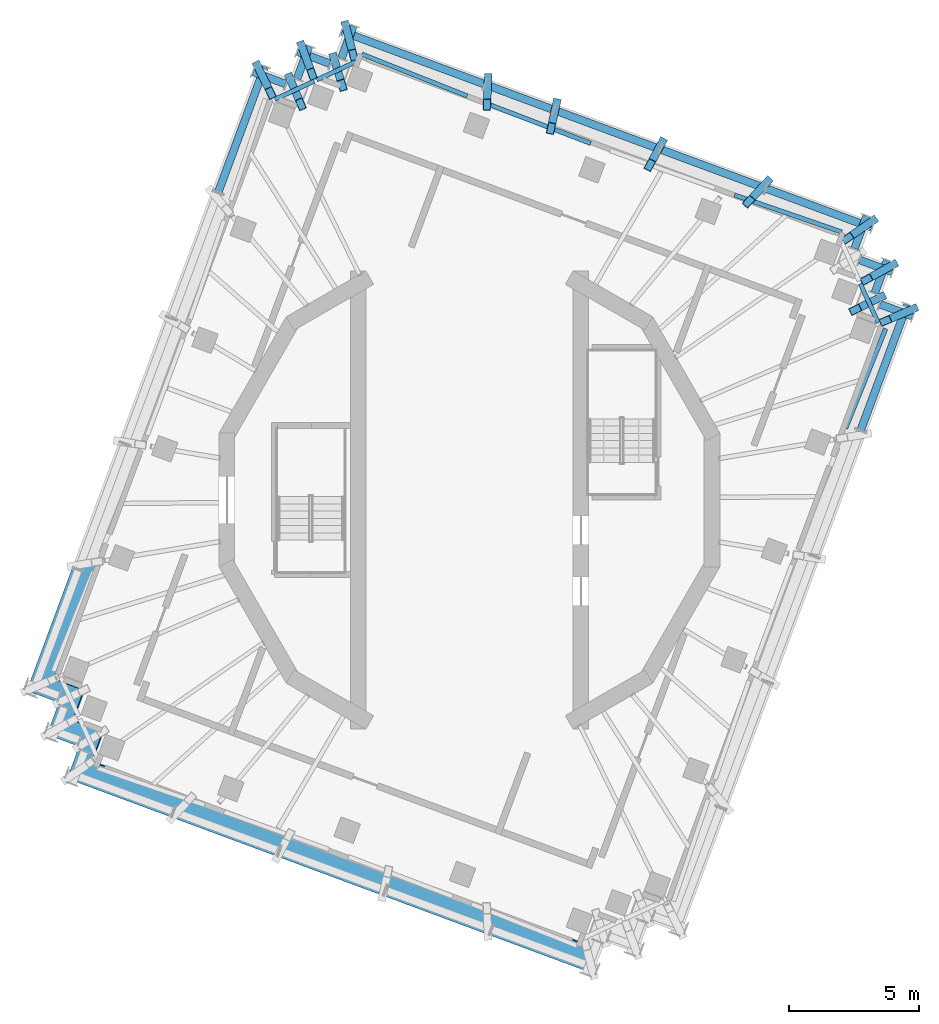
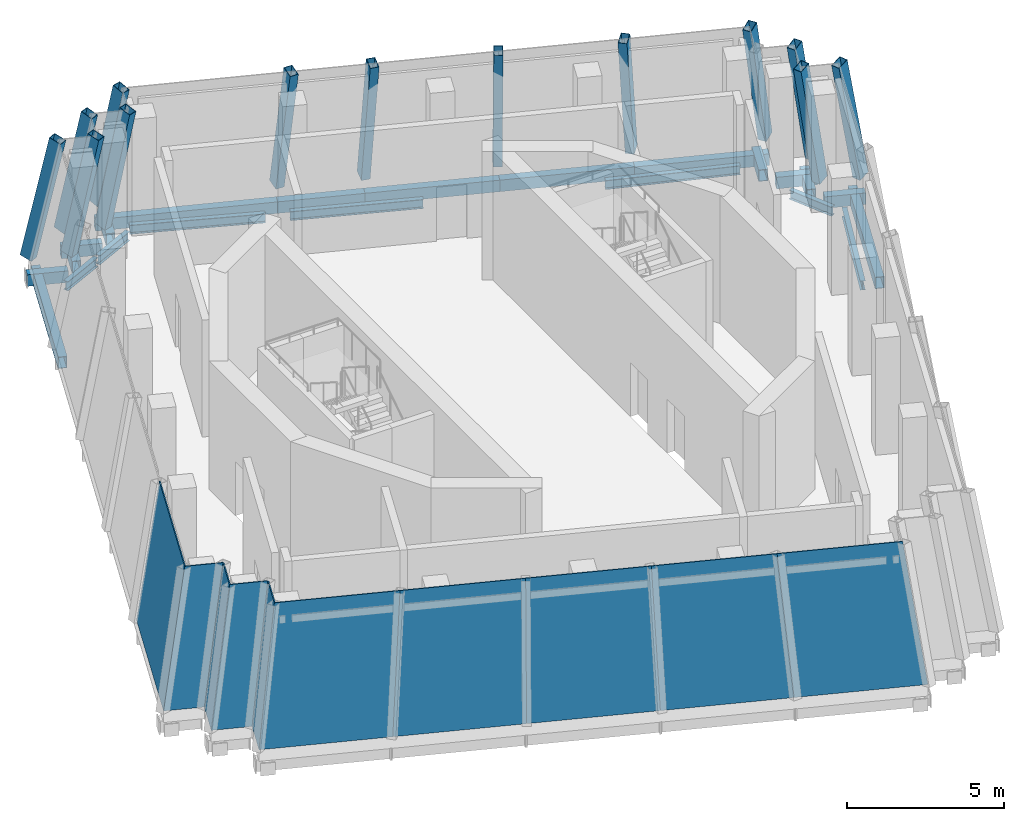
# One storey, part 3 of 13: 28 members, 10 plates, 7 beams, 25 elements without a shape of their own.
"""IFC4 building model written with IfcOpenShell, lengths in metres."""

from ifc_helpers import new_model, si_unit, direction, frame, origin, origin_2d, place, context, subcontext, project, spatial, polyline, hollow_rectangle, i_section, outline, extrude, material, layer, layer_set, material_profile, profile_set, type_object, element, aggregate, save


model = new_model("IFC4")

# Units and contexts
model_context = context("Model", 3, precision=1e-05, world=origin(), true_north=direction((0.0, 1.0)))
body_context = subcontext(model_context, "Body", "Model", "MODEL_VIEW")
ifc_project = project(units=[si_unit("LENGTHUNIT", "METRE"), si_unit("AREAUNIT", "SQUARE_METRE"), si_unit("VOLUMEUNIT", "CUBIC_METRE"), si_unit("PLANEANGLEUNIT", "RADIAN"), si_unit("MASSUNIT", "GRAM", prefix="KILO")], contexts=[model_context])

# Site, building, storey
site_placement = place(None, origin())
site = spatial("IfcSite", under=ifc_project, at=site_placement, CompositionType="ELEMENT")
building_placement = place(site_placement, origin())
building = spatial("IfcBuilding", under=site, at=building_placement, Name="Cantera Rosa Tower", CompositionType="ELEMENT")
storey_placement = place(building_placement, frame((0.0, 0.0, 355.699951171875)))
storey = spatial("IfcBuildingStorey", under=building, at=storey_placement, Name="L80", CompositionType="ELEMENT", Elevation=355.699951171875)

# Curtain wall, member
ifc_material_1 = material(Name="Aluminium frame with clear glass", Category="aluminium")
curtain_wall_type = type_object("IfcCurtainWallType", Name="CW4 CROWN GLAZING", PredefinedType="NOTDEFINED", material=ifc_material_1)
curtain_wall_1_placement = place(storey_placement, origin())
curtain_wall_1 = element("IfcCurtainWall", 1, at=curtain_wall_1_placement, inside=storey, type_object=curtain_wall_type, Name="CW4 L80-01", PredefinedType="NOTDEFINED")
ifc_material_2 = material(Name="Steel S355J2 (EN 10025-2)", Category="steel")
ifc_material_profile_1 = material_profile(ifc_material_2, hollow_rectangle(XDim=0.300048828125, YDim=0.449951171875, WallThickness=0.01611328125, at=origin_2d()), Name="CROWN FRAME MULLION RHS 300x450x16")
ifc_profile_set_1 = profile_set([ifc_material_profile_1], Name="Steel S355J2 (EN 10025-2)")
member_type_1 = type_object("IfcMemberType", Name="CROWN FRAME MULLION RHS 300x450x16", PredefinedType="MULLION", material=ifc_profile_set_1)
member_1_placement = place(storey_placement, frame((15.527587890625, 10.75146484375, 0.0), z_axis=(-0.183485118083, -0.127035481236, 0.974779563773), x_axis=(0.569232159269, -0.822176835513, 0.0)))
member_1 = element("IfcMember", 2, at=member_1_placement, type_object=member_type_1, Name="CROWN FRAME rib L80-01", PredefinedType="MULLION", context=body_context, shape_type="SweptSolid", body=[
    extrude(hollow_rectangle(XDim=0.300048828125, YDim=0.449951171875, WallThickness=0.01611328125, at=origin_2d()), origin(), (0.0, 0.0, 1.0), 5.12939453125),
])

curtain_wall_2_placement = place(storey_placement, origin())
curtain_wall_2 = element("IfcCurtainWall", 3, at=curtain_wall_2_placement, inside=storey, type_object=curtain_wall_type, Name="CW4 L80-02", PredefinedType="NOTDEFINED")
member_2_placement = place(storey_placement, frame((11.4677734375, 12.255859375, 0.0), z_axis=(-0.136223280906, -0.145553642612, 0.979927219165), x_axis=(0.730120754726, -0.683318142243, 0.0)))
member_2 = element("IfcMember", 4, at=member_2_placement, type_object=member_type_1, Name="CROWN FRAME rib L80-02", PredefinedType="MULLION", context=body_context, shape_type="SweptSolid", body=[
    extrude(hollow_rectangle(XDim=0.300048828125, YDim=0.449951171875, WallThickness=0.01611328125, at=origin_2d()), origin(), (0.0, 0.0, 1.0), 5.1025390625),
])

curtain_wall_3_placement = place(storey_placement, origin())
curtain_wall_3 = element("IfcCurtainWall", 5, at=curtain_wall_3_placement, inside=storey, type_object=curtain_wall_type, Name="CW4 L80-03", PredefinedType="NOTDEFINED")
member_3_placement = place(storey_placement, frame((7.407958984375, 13.76025390625, 0.0), z_axis=(-0.088226603476, -0.163835699223, 0.982534442195), x_axis=(0.880454542152, -0.474130571894, 0.0)))
member_3 = element("IfcMember", 6, at=member_3_placement, type_object=member_type_1, Name="CROWN FRAME rib L80-03", PredefinedType="MULLION", context=body_context, shape_type="SweptSolid", body=[
    extrude(hollow_rectangle(XDim=0.300048828125, YDim=0.449951171875, WallThickness=0.01611328125, at=origin_2d()), origin(), (0.0, 0.0, 1.0), 5.0888671875),
])

curtain_wall_4_placement = place(storey_placement, origin())
curtain_wall_4 = element("IfcCurtainWall", 7, at=curtain_wall_4_placement, inside=storey, type_object=curtain_wall_type, Name="CW4 L80-04", PredefinedType="NOTDEFINED")
member_4_placement = place(storey_placement, frame((3.34814453125, 15.264892578125, 0.0), z_axis=(-0.039867003979, -0.181824241974, 0.982522552934), x_axis=(0.976795656334, -0.214173401165, 0.0)))
member_4 = element("IfcMember", 8, at=member_4_placement, type_object=member_type_1, Name="CROWN FRAME rib L80-04", PredefinedType="MULLION", context=body_context, shape_type="SweptSolid", body=[
    extrude(hollow_rectangle(XDim=0.300048828125, YDim=0.449951171875, WallThickness=0.01611328125, at=origin_2d()), origin(), (0.0, 0.0, 1.0), 5.0888671875),
])

curtain_wall_5_placement = place(storey_placement, origin())
curtain_wall_5 = element("IfcCurtainWall", 9, at=curtain_wall_5_placement, inside=storey, type_object=curtain_wall_type, Name="CW4 L80-05", PredefinedType="NOTDEFINED")
member_5_placement = place(storey_placement, frame((0.715576171875, 16.240478515625, 0.0), z_axis=(-0.00852740126, -0.193160010572, 0.98113021243), x_axis=(0.999026950985, -0.044103868372, 0.0)))
member_5 = element("IfcMember", 10, at=member_5_placement, type_object=member_type_1, Name="CROWN FRAME rib L80-05", PredefinedType="MULLION", context=body_context, shape_type="SweptSolid", body=[
    extrude(hollow_rectangle(XDim=0.300048828125, YDim=0.449951171875, WallThickness=0.01611328125, at=origin_2d()), origin(), (0.0, 0.0, 1.0), 5.09619140625),
])

curtain_wall_6_placement = place(storey_placement, origin())
curtain_wall_6 = element("IfcCurtainWall", 11, at=curtain_wall_6_placement, inside=storey, type_object=curtain_wall_type, Name="CW4 L80-06", PredefinedType="NOTDEFINED")
member_6_placement = place(storey_placement, frame((-4.771484375, 18.273681640625, 0.0), z_axis=(0.056354918078, -0.215900260473, 0.974787772152), x_axis=(0.967581018342, 0.252560830185, 0.0)))
member_6 = element("IfcMember", 12, at=member_6_placement, type_object=member_type_1, Name="CROWN FRAME rib L80-06", PredefinedType="MULLION", context=body_context, shape_type="SweptSolid", body=[
    extrude(hollow_rectangle(XDim=0.300048828125, YDim=0.449951171875, WallThickness=0.01611328125, at=origin_2d()), origin(), (0.0, 0.0, 1.0), 5.12939453125),
])

curtain_wall_7_placement = place(storey_placement, origin())
curtain_wall_7 = element("IfcCurtainWall", 13, at=curtain_wall_7_placement, inside=storey, type_object=curtain_wall_type, Name="CW4 L80-07", PredefinedType="NOTDEFINED")
member_7_placement = place(storey_placement, frame((-5.230224609375, 17.035888671875, 0.0), z_axis=(0.061950185044, -0.201839239252, 0.977457465096), x_axis=(0.955984057703, 0.293418611232, 0.0)))
member_7 = element("IfcMember", 14, at=member_7_placement, type_object=member_type_1, Name="CROWN FRAME rib L80-07", PredefinedType="MULLION", context=body_context, shape_type="SweptSolid", body=[
    extrude(hollow_rectangle(XDim=0.300048828125, YDim=0.449951171875, WallThickness=0.01611328125, at=origin_2d()), origin(), (0.0, 0.0, 1.0), 5.115234375),
])

curtain_wall_8_placement = place(storey_placement, origin())
curtain_wall_8 = element("IfcCurtainWall", 15, at=curtain_wall_8_placement, inside=storey, type_object=curtain_wall_type, Name="CW4 L80-08", PredefinedType="NOTDEFINED")
member_8_placement = place(storey_placement, frame((-6.468017578125, 17.49462890625, 0.0), z_axis=(0.076487353501, -0.206839711243, 0.975380448137), x_axis=(0.937925785431, 0.346836014599, 0.0)))
member_8 = element("IfcMember", 16, at=member_8_placement, type_object=member_type_1, Name="CROWN FRAME rib L80-08", PredefinedType="MULLION", context=body_context, shape_type="SweptSolid", body=[
    extrude(hollow_rectangle(XDim=0.300048828125, YDim=0.449951171875, WallThickness=0.01611328125, at=origin_2d()), origin(), (0.0, 0.0, 1.0), 5.126220703125),
])

curtain_wall_9_placement = place(storey_placement, origin())
curtain_wall_9 = element("IfcCurtainWall", 17, at=curtain_wall_9_placement, inside=storey, type_object=curtain_wall_type, Name="CW4 L80-09", PredefinedType="NOTDEFINED")
member_9_placement = place(storey_placement, frame((-6.9267578125, 16.2568359375, 0.0), z_axis=(0.082121990463, -0.192652460185, 0.97782463063), x_axis=(0.919909783206, 0.392130068678, 0.0)))
member_9 = element("IfcMember", 18, at=member_9_placement, type_object=member_type_1, Name="CROWN FRAME rib L80-09", PredefinedType="MULLION", context=body_context, shape_type="SweptSolid", body=[
    extrude(hollow_rectangle(XDim=0.300048828125, YDim=0.449951171875, WallThickness=0.01611328125, at=origin_2d()), origin(), (0.0, 0.0, 1.0), 5.11328125),
])

curtain_wall_10_placement = place(storey_placement, origin())
curtain_wall_10 = element("IfcCurtainWall", 19, at=curtain_wall_10_placement, inside=storey, type_object=curtain_wall_type, Name="CW4 L80-10", PredefinedType="NOTDEFINED")
member_10_placement = place(storey_placement, frame((-8.164306640625, 16.715576171875, 0.0), z_axis=(0.096502718584, -0.19767338703, 0.975506256959), x_axis=(0.898631049479, 0.438705182227, 0.0)))
member_10 = element("IfcMember", 20, at=member_10_placement, type_object=member_type_1, Name="CROWN FRAME rib L80-10", PredefinedType="MULLION", context=body_context, shape_type="SweptSolid", body=[
    extrude(hollow_rectangle(XDim=0.300048828125, YDim=0.449951171875, WallThickness=0.01611328125, at=origin_2d()), origin(), (0.0, 0.0, 1.0), 5.12548828125),
])

curtain_wall_11_placement = place(storey_placement, origin())
curtain_wall_11 = element("IfcCurtainWall", 21, at=curtain_wall_11_placement, inside=storey, type_object=curtain_wall_type, Name="CW4 L80-33", PredefinedType="NOTDEFINED")
member_11_placement = place(storey_placement, frame((17.085693359375, 7.358642578125, 0.0), z_axis=(-0.202054325325, -0.087023397541, 0.97550037309), x_axis=(0.395564894029, -0.918438029816, 0.0)))
member_11 = element("IfcMember", 22, at=member_11_placement, type_object=member_type_1, Name="CROWN FRAME rib L80-33", PredefinedType="MULLION", context=body_context, shape_type="SweptSolid", body=[
    extrude(hollow_rectangle(XDim=0.300048828125, YDim=0.449951171875, WallThickness=0.01611328125, at=origin_2d()), origin(), (0.0, 0.0, 1.0), 5.12548828125),
])

curtain_wall_12_placement = place(storey_placement, origin())
curtain_wall_12 = element("IfcCurtainWall", 23, at=curtain_wall_12_placement, inside=storey, type_object=curtain_wall_type, Name="CW4 L80-34", PredefinedType="NOTDEFINED")
member_12_placement = place(storey_placement, frame((15.847900390625, 7.8173828125, 0.0), z_axis=(-0.18782927877, -0.092673266419, 0.97781993625), x_axis=(0.442465792491, -0.896785382617, 0.0)))
member_12 = element("IfcMember", 24, at=member_12_placement, type_object=member_type_1, Name="CROWN FRAME rib L80-34", PredefinedType="MULLION", context=body_context, shape_type="SweptSolid", body=[
    extrude(hollow_rectangle(XDim=0.300048828125, YDim=0.449951171875, WallThickness=0.01611328125, at=origin_2d()), origin(), (0.0, 0.0, 1.0), 5.113525390625),
])

curtain_wall_13_placement = place(storey_placement, origin())
curtain_wall_13 = element("IfcCurtainWall", 25, at=curtain_wall_13_placement, inside=storey, type_object=curtain_wall_type, Name="CW4 L80-35", PredefinedType="NOTDEFINED")
member_13_placement = place(storey_placement, frame((16.306640625, 9.054931640625, 0.0), z_axis=(-0.192791260013, -0.107016294775, 0.975386611921), x_axis=(0.485331140108, -0.874330420631, 0.0)))
member_13 = element("IfcMember", 26, at=member_13_placement, type_object=member_type_1, Name="CROWN FRAME rib L80-35", PredefinedType="MULLION", context=body_context, shape_type="SweptSolid", body=[
    extrude(hollow_rectangle(XDim=0.300048828125, YDim=0.449951171875, WallThickness=0.01611328125, at=origin_2d()), origin(), (0.0, 0.0, 1.0), 5.126220703125),
])

# Member
ifc_material_3 = material(Name="Steel S355J2 (EN 10025-2)", Category="steel")
ifc_material_profile_2 = material_profile(ifc_material_3, hollow_rectangle(XDim=0.300048828125, YDim=0.449951171875, WallThickness=0.01611328125, at=origin_2d()), Name="CROWN FRAME PURLIN RHS 300x450x16")
ifc_profile_set_2 = profile_set([ifc_material_profile_2], Name="Steel S355J2 (EN 10025-2)")
member_type_2 = type_object("IfcMemberType", Name="CROWN FRAME PURLIN RHS 300x450x16", PredefinedType="PURLIN", material=ifc_profile_set_2)
member_14_placement = place(storey_placement, frame((15.52294921875, 10.508544921875, -0.675048828125), z_axis=(-0.937702162276, 0.347440145729, 0.0), x_axis=(-0.347440145729, -0.937702162276, 0.0)))
member_14 = element("IfcMember", 27, at=member_14_placement, type_object=member_type_2, Name="CROWN FRAME purlin L80-01", PredefinedType="PURLIN", context=body_context, shape_type="SweptSolid", body=[
    extrude(hollow_rectangle(XDim=0.300048828125, YDim=0.449951171875, WallThickness=0.01611328125, at=origin_2d()), origin(), (0.0, 0.0, 1.0), 4.361572265625),
])

aggregate(curtain_wall_1, [member_1, member_14])

member_15_placement = place(storey_placement, frame((11.43310546875, 12.02392578125, -0.675048828125), z_axis=(-0.937683924768, 0.34748936276, 0.0), x_axis=(-0.34748936276, -0.937683924768, 0.0)))
member_15 = element("IfcMember", 28, at=member_15_placement, type_object=member_type_2, Name="CROWN FRAME purlin L80-02", PredefinedType="PURLIN", context=body_context, shape_type="SweptSolid", body=[
    extrude(hollow_rectangle(XDim=0.300048828125, YDim=0.449951171875, WallThickness=0.01611328125, at=origin_2d()), origin(), (0.0, 0.0, 1.0), 4.361572265625),
])

aggregate(curtain_wall_2, [member_2, member_15])

member_16_placement = place(storey_placement, frame((7.34326171875, 13.53955078125, -0.675048828125), z_axis=(-0.937683924768, 0.34748936276, 0.0), x_axis=(-0.34748936276, -0.937683924768, 0.0)))
member_16 = element("IfcMember", 29, at=member_16_placement, type_object=member_type_2, Name="CROWN FRAME purlin L80-03", PredefinedType="PURLIN", context=body_context, shape_type="SweptSolid", body=[
    extrude(hollow_rectangle(XDim=0.300048828125, YDim=0.449951171875, WallThickness=0.01611328125, at=origin_2d()), origin(), (0.0, 0.0, 1.0), 4.361572265625),
])

aggregate(curtain_wall_3, [member_3, member_16])

member_17_placement = place(storey_placement, frame((3.25341796875, 15.05517578125, -0.675048828125), z_axis=(-0.937673770182, 0.34751676321, 0.0), x_axis=(-0.34751676321, -0.937673770182, 0.0)))
member_17 = element("IfcMember", 30, at=member_17_placement, type_object=member_type_2, Name="CROWN FRAME purlin L80-04", PredefinedType="PURLIN", context=body_context, shape_type="SweptSolid", body=[
    extrude(hollow_rectangle(XDim=0.300048828125, YDim=0.449951171875, WallThickness=0.01611328125, at=origin_2d()), origin(), (0.0, 0.0, 1.0), 2.828369140625),
])

aggregate(curtain_wall_4, [member_4, member_17])

member_18_placement = place(storey_placement, frame((0.601318359375, 16.0380859375, -0.675048828125), z_axis=(-0.937693796871, 0.347462722187, 0.0), x_axis=(-0.347462722187, -0.937693796871, 0.0)))
member_18 = element("IfcMember", 31, at=member_18_placement, type_object=member_type_2, Name="CROWN FRAME purlin L80-05", PredefinedType="PURLIN", context=body_context, shape_type="SweptSolid", body=[
    extrude(hollow_rectangle(XDim=0.300048828125, YDim=0.449951171875, WallThickness=0.01611328125, at=origin_2d()), origin(), (0.0, 0.0, 1.0), 5.89501953125),
])

aggregate(curtain_wall_5, [member_5, member_18])

member_19_placement = place(storey_placement, frame((-4.482666015625, 18.29248046875, -0.675048828125), z_axis=(-0.34749969142, -0.937680097081, 0.0), x_axis=(0.937680097081, -0.34749969142, 0.0)))
member_19 = element("IfcMember", 32, at=member_19_placement, type_object=member_type_2, Name="CROWN FRAME purlin L80-06", PredefinedType="PURLIN", context=body_context, shape_type="SweptSolid", body=[
    extrude(hollow_rectangle(XDim=0.300048828125, YDim=0.449951171875, WallThickness=0.01611328125, at=origin_2d()), origin(), (0.0, 0.0, 1.0), 1.329833984375),
])

aggregate(curtain_wall_6, [member_6, member_19])

member_20_placement = place(storey_placement, frame((-5.38916015625, 16.839599609375, -0.675048828125), z_axis=(-0.937680097081, 0.34749969142, 0.0), x_axis=(-0.34749969142, -0.937680097081, 0.0)))
member_20 = element("IfcMember", 33, at=member_20_placement, type_object=member_type_2, Name="CROWN FRAME purlin L80-07", PredefinedType="PURLIN", context=body_context, shape_type="SweptSolid", body=[
    extrude(hollow_rectangle(XDim=0.300048828125, YDim=0.449951171875, WallThickness=0.01611328125, at=origin_2d()), origin(), (0.0, 0.0, 1.0), 1.329833984375),
])

aggregate(curtain_wall_7, [member_7, member_20])

member_21_placement = place(storey_placement, frame((-6.192138671875, 17.506591796875, -0.675048828125), z_axis=(-0.34749969142, -0.937680097081, 0.0), x_axis=(0.937680097081, -0.34749969142, 0.0)))
member_21 = element("IfcMember", 34, at=member_21_placement, type_object=member_type_2, Name="CROWN FRAME purlin L80-08", PredefinedType="PURLIN", context=body_context, shape_type="SweptSolid", body=[
    extrude(hollow_rectangle(XDim=0.300048828125, YDim=0.449951171875, WallThickness=0.01611328125, at=origin_2d()), origin(), (0.0, 0.0, 1.0), 1.329833984375),
])

aggregate(curtain_wall_8, [member_8, member_21])

member_22_placement = place(storey_placement, frame((-7.098876953125, 16.054931640625, -0.675048828125), z_axis=(-0.937680097081, 0.34749969142, 0.0), x_axis=(-0.34749969142, -0.937680097081, 0.0)))
member_22 = element("IfcMember", 35, at=member_22_placement, type_object=member_type_2, Name="CROWN FRAME purlin L80-09", PredefinedType="PURLIN", context=body_context, shape_type="SweptSolid", body=[
    extrude(hollow_rectangle(XDim=0.300048828125, YDim=0.449951171875, WallThickness=0.01611328125, at=origin_2d()), origin(), (0.0, 0.0, 1.0), 1.329833984375),
])

aggregate(curtain_wall_9, [member_9, member_22])

member_23_placement = place(storey_placement, frame((-7.901611328125, 16.720947265625, -0.675048828125), z_axis=(-0.34751107976, -0.937675876539, 0.0), x_axis=(0.937675876539, -0.34751107976, 0.0)))
member_23 = element("IfcMember", 36, at=member_23_placement, type_object=member_type_2, Name="CROWN FRAME purlin L80-10", PredefinedType="PURLIN", context=body_context, shape_type="SweptSolid", body=[
    extrude(hollow_rectangle(XDim=0.300048828125, YDim=0.449951171875, WallThickness=0.01611328125, at=origin_2d()), origin(), (0.0, 0.0, 1.0), 5.173583984375),
])

aggregate(curtain_wall_10, [member_10, member_23])

# Curtain wall, member
curtain_wall_14_placement = place(storey_placement, origin())
curtain_wall_14 = element("IfcCurtainWall", 37, at=curtain_wall_14_placement, inside=storey, type_object=curtain_wall_type, Name="CW4 L80-32", PredefinedType="NOTDEFINED")
member_24_placement = place(storey_placement, frame((15.09228515625, 2.682861328125, -0.675048828125), z_axis=(0.347484963589, 0.937685555013, 0.0), x_axis=(-0.937685555013, 0.347484963589, 0.0)))
member_24 = element("IfcMember", 38, at=member_24_placement, type_object=member_type_2, Name="CROWN FRAME purlin L80-32", PredefinedType="PURLIN", context=body_context, shape_type="SweptSolid", body=[
    extrude(hollow_rectangle(XDim=0.300048828125, YDim=0.449951171875, WallThickness=0.01611328125, at=origin_2d()), origin(), (0.0, 0.0, 1.0), 5.173095703125),
])
aggregate(curtain_wall_14, [member_24])

# Member
member_25_placement = place(storey_placement, frame((17.093994140625, 7.089599609375, -0.675048828125), z_axis=(-0.937680097081, 0.34749969142, 0.0), x_axis=(-0.34749969142, -0.937680097081, 0.0)))
member_25 = element("IfcMember", 39, at=member_25_placement, type_object=member_type_2, Name="CROWN FRAME purlin L80-33", PredefinedType="PURLIN", context=body_context, shape_type="SweptSolid", body=[
    extrude(hollow_rectangle(XDim=0.300048828125, YDim=0.449951171875, WallThickness=0.01611328125, at=origin_2d()), origin(), (0.0, 0.0, 1.0), 1.329833984375),
])

aggregate(curtain_wall_11, [member_11, member_25])

member_26_placement = place(storey_placement, frame((15.64306640625, 7.996826171875, -0.675048828125), z_axis=(0.34749969142, 0.937680097081, 0.0), x_axis=(-0.937680097081, 0.34749969142, 0.0)))
member_26 = element("IfcMember", 40, at=member_26_placement, type_object=member_type_2, Name="CROWN FRAME purlin L80-34", PredefinedType="PURLIN", context=body_context, shape_type="SweptSolid", body=[
    extrude(hollow_rectangle(XDim=0.300048828125, YDim=0.449951171875, WallThickness=0.01611328125, at=origin_2d()), origin(), (0.0, 0.0, 1.0), 1.329833984375),
])

aggregate(curtain_wall_12, [member_12, member_26])

member_27_placement = place(storey_placement, frame((16.308349609375, 8.799072265625, -0.675048828125), z_axis=(-0.937657924064, 0.3475595164, 0.0), x_axis=(-0.3475595164, -0.937657924064, 0.0)))
member_27 = element("IfcMember", 41, at=member_27_placement, type_object=member_type_2, Name="CROWN FRAME purlin L80-35", PredefinedType="PURLIN", context=body_context, shape_type="SweptSolid", body=[
    extrude(hollow_rectangle(XDim=0.300048828125, YDim=0.449951171875, WallThickness=0.01611328125, at=origin_2d()), origin(), (0.0, 0.0, 1.0), 1.329833984375),
])

aggregate(curtain_wall_13, [member_13, member_27])

# Curtain wall, member
curtain_wall_15_placement = place(storey_placement, origin())
curtain_wall_15 = element("IfcCurtainWall", 42, at=curtain_wall_15_placement, inside=storey, type_object=curtain_wall_type, Name="CW4 L80-36", PredefinedType="NOTDEFINED")
member_28_placement = place(storey_placement, frame((14.8583984375, 9.706787109375, -0.675048828125), z_axis=(0.347439885619, 0.937702258652, 0.0), x_axis=(-0.937702258652, 0.347439885619, 0.0)))
member_28 = element("IfcMember", 43, at=member_28_placement, type_object=member_type_2, Name="CROWN FRAME purlin L80-36", PredefinedType="PURLIN", context=body_context, shape_type="SweptSolid", body=[
    extrude(hollow_rectangle(XDim=0.300048828125, YDim=0.449951171875, WallThickness=0.01611328125, at=origin_2d()), origin(), (0.0, 0.0, 1.0), 1.330078125),
])
aggregate(curtain_wall_15, [member_28])

# Beams
ifc_material_4 = material(Name="Steel ASTM A992 (Fy 345 MPa)", Category="steel")
ifc_material_profile_3 = material_profile(ifc_material_4, i_section(OverallWidth=0.1708984375, OverallDepth=0.35595703125, WebThickness=0.00732421875, FlangeThickness=0.01171875, FilletRadius=0.010009765625, at=origin_2d()), Name="W360X51")
ifc_profile_set_3 = profile_set([ifc_material_profile_3], Name="Steel ASTM A992 (Fy 345 MPa)")
beam_type = type_object("IfcBeamType", Name="STEEL SPANDREL BEAM W360X51", PredefinedType="SPANDREL", material=ifc_profile_set_3)
beam_1_placement = place(storey_placement, frame((14.3681640625, 10.341064453125, -0.6279296875), z_axis=(-0.945362324368, 0.326021587731, 0.0), x_axis=(-0.326021587731, -0.945362324368, 0.0)))
element("IfcBeam", 44, at=beam_1_placement, inside=storey, type_object=beam_type, Name="CEB-Z6-01 L80", PredefinedType="SPANDREL", context=body_context, shape_type="SweptSolid", body=[
    extrude(i_section(OverallWidth=0.1708984375, OverallDepth=0.35595703125, WebThickness=0.00732421875, FlangeThickness=0.01171875, FilletRadius=0.010009765625, at=origin_2d()), origin(), (0.0, 0.0, 1.0), 4.38232421875),
])
beam_2_placement = place(storey_placement, frame((4.67431640625, 13.7646484375, -0.6279296875), z_axis=(-0.934017283206, 0.357227819006, 0.0), x_axis=(-0.357227819006, -0.934017283206, 0.0)))
element("IfcBeam", 45, at=beam_2_placement, inside=storey, type_object=beam_type, Name="CEB-Z6-03 L80", PredefinedType="SPANDREL", context=body_context, shape_type="SweptSolid", body=[
    extrude(i_section(OverallWidth=0.1708984375, OverallDepth=0.35595703125, WebThickness=0.00732421875, FlangeThickness=0.01171875, FilletRadius=0.010009765625, at=origin_2d()), origin(), (0.0, 0.0, 1.0), 4.298828125),
])
beam_3_placement = place(storey_placement, frame((-0.086181640625, 15.5908203125, -0.6279296875), z_axis=(-0.929510415478, 0.36879586158, 0.0), x_axis=(-0.36879586158, -0.929510415478, 0.0)))
element("IfcBeam", 46, at=beam_3_placement, inside=storey, type_object=beam_type, Name="CEB-Z6-04 L80", PredefinedType="SPANDREL", context=body_context, shape_type="SweptSolid", body=[
    extrude(i_section(OverallWidth=0.1708984375, OverallDepth=0.35595703125, WebThickness=0.00732421875, FlangeThickness=0.01171875, FilletRadius=0.010009765625, at=origin_2d()), origin(), (0.0, 0.0, 1.0), 4.38232421875),
])
beam_4_placement = place(storey_placement, frame((-4.389404296875, 16.913330078125, -0.6279296875), z_axis=(-0.905950392676, -0.423383851854, 0.0), x_axis=(0.423383851854, -0.905950392676, 0.0)))
element("IfcBeam", 47, at=beam_4_placement, inside=storey, type_object=beam_type, Name="CEB-Z6-05 L80", PredefinedType="SPANDREL", context=body_context, shape_type="SweptSolid", body=[
    extrude(i_section(OverallWidth=0.1708984375, OverallDepth=0.35595703125, WebThickness=0.00732421875, FlangeThickness=0.01171875, FilletRadius=0.010009765625, at=origin_2d()), origin(), (0.0, 0.0, 1.0), 1.662353515625),
])
beam_5_placement = place(storey_placement, frame((-5.9970703125, 16.162353515625, -0.6279296875), z_axis=(-0.908152957208, -0.418638515086, 0.0), x_axis=(0.418638515086, -0.908152957208, 0.0)))
element("IfcBeam", 48, at=beam_5_placement, inside=storey, type_object=beam_type, Name="CEB-Z6-06 L80", PredefinedType="SPANDREL", context=body_context, shape_type="SweptSolid", body=[
    extrude(i_section(OverallWidth=0.1708984375, OverallDepth=0.35595703125, WebThickness=0.00732421875, FlangeThickness=0.01171875, FilletRadius=0.010009765625, at=origin_2d()), origin(), (0.0, 0.0, 1.0), 1.660400390625),
])
beam_6_placement = place(storey_placement, frame((14.513671875, 2.75927734375, -0.6279296875), z_axis=(0.373285514208, 0.927716511054, 0.0), x_axis=(-0.927716511054, 0.373285514208, 0.0)))
element("IfcBeam", 49, at=beam_6_placement, inside=storey, type_object=beam_type, Name="CEB-Z6-24 L80", PredefinedType="SPANDREL", context=body_context, shape_type="SweptSolid", body=[
    extrude(i_section(OverallWidth=0.1708984375, OverallDepth=0.35595703125, WebThickness=0.00732421875, FlangeThickness=0.01171875, FilletRadius=0.010009765625, at=origin_2d()), origin(), (0.0, 0.0, 1.0), 4.15234375),
])
beam_7_placement = place(storey_placement, frame((15.77197265625, 6.841552734375, -0.6279296875), z_axis=(-0.416128075115, 0.909306012903, 0.0), x_axis=(-0.909306012903, -0.416128075115, 0.0)))
element("IfcBeam", 50, at=beam_7_placement, inside=storey, type_object=beam_type, Name="CEB-Z6-25 L80", PredefinedType="SPANDREL", context=body_context, shape_type="SweptSolid", body=[
    extrude(i_section(OverallWidth=0.1708984375, OverallDepth=0.35595703125, WebThickness=0.00732421875, FlangeThickness=0.01171875, FilletRadius=0.010009765625, at=origin_2d()), origin(), (0.0, 0.0, 1.0), 1.660400390625),
])

# Curtain wall, plate
curtain_wall_16_placement = place(storey_placement, origin())
curtain_wall_16 = element("IfcCurtainWall", 51, at=curtain_wall_16_placement, inside=storey, type_object=curtain_wall_type, Name="CW4 L80-14", PredefinedType="NOTDEFINED")
ifc_material_5 = material(Name="Aluminium frame with clear glass", Category="aluminium")
ifc_layer = layer(ifc_material_5, 0.0400390625)
ifc_layer_set = layer_set([ifc_layer], Name="CW-PANEL CROWN 40")
plate_type = type_object("IfcPlateType", Name="CW-PANEL CROWN 40", PredefinedType="CURTAIN_PANEL", material=ifc_layer_set)
plate_1_placement = place(storey_placement, frame((-15.30126953125, -2.543701171875, 0.0), z_axis=(-0.925440395238, 0.342951060503, 0.161073414819), x_axis=(-0.347488841174, -0.937684118055, -2.780184e-06)))
plate_1 = element("IfcPlate", 52, at=plate_1_placement, type_object=plate_type, Name="CROWN GLAZING L80-14", PredefinedType="CURTAIN_PANEL", context=body_context, shape_type="SweptSolid", body=[
    extrude(outline(polyline([(0.0, 0.0), (5.1349614542025055, 0.0), (4.356823396070112, 5.066163915831085), (-0.466674373885678, 5.0661358631846785), (0.0, 0.0)])), origin(), (0.0, 0.0, -1.0), 0.0400390625),
])
aggregate(curtain_wall_16, [plate_1])

curtain_wall_17_placement = place(storey_placement, origin())
curtain_wall_17 = element("IfcCurtainWall", 53, at=curtain_wall_17_placement, inside=storey, type_object=curtain_wall_type, Name="CW4 L80-15", PredefinedType="NOTDEFINED")
plate_2_placement = place(storey_placement, frame((-17.085693359375, -7.358642578125, 0.0), z_axis=(-0.343391967421, -0.926517514732, 0.153776628934), x_axis=(0.93767061784, -0.347525268772, 2.015414e-06)))
plate_2 = element("IfcPlate", 54, at=plate_2_placement, type_object=plate_type, Name="CROWN GLAZING L80-15", PredefinedType="CURTAIN_PANEL", context=body_context, shape_type="SweptSolid", body=[
    extrude(outline(polyline([(0.0, 0.0), (1.3200659210138128, -1.3877787807814457e-17), (2.055976794935892, 5.060183519779144), (0.816091643193271, 5.060188741247632), (0.0, 0.0)])), origin(), (0.0, 0.0, -1.0), 0.0400390625),
])
aggregate(curtain_wall_17, [plate_2])

curtain_wall_18_placement = place(storey_placement, origin())
curtain_wall_18 = element("IfcCurtainWall", 55, at=curtain_wall_18_placement, inside=storey, type_object=curtain_wall_type, Name="CW4 L80-16", PredefinedType="NOTDEFINED")
plate_3_placement = place(storey_placement, frame((-15.847900390625, -7.8173828125, 0.0), z_axis=(-0.927674881421, 0.343820918216, 0.145624484815), x_axis=(-0.347526577352, -0.937670132818, -7.350322e-06)))
plate_3 = element("IfcPlate", 56, at=plate_3_placement, type_object=plate_type, Name="CROWN GLAZING L80-16", PredefinedType="CURTAIN_PANEL", context=body_context, shape_type="SweptSolid", body=[
    extrude(outline(polyline([(0.0, 0.0), (1.3198369975834208, 1.3877787807814457e-17), (0.4619554282078014, 5.053878058036418), (-0.7781586468998851, 5.053859038825428), (0.0, 0.0)])), origin(), (0.0, 0.0, -1.0), 0.0400390625),
])
aggregate(curtain_wall_18, [plate_3])

curtain_wall_19_placement = place(storey_placement, origin())
curtain_wall_19 = element("IfcCurtainWall", 57, at=curtain_wall_19_placement, inside=storey, type_object=curtain_wall_type, Name="CW4 L80-17", PredefinedType="NOTDEFINED")
plate_4_placement = place(storey_placement, frame((-16.306640625, -9.054931640625, 0.0), z_axis=(-0.342407039828, -0.924207637286, 0.169108433434), x_axis=(0.937712008934, -0.347413569062, -1.821691e-05)))
plate_4 = element("IfcPlate", 58, at=plate_4_placement, type_object=plate_type, Name="CROWN GLAZING L80-17", PredefinedType="CURTAIN_PANEL", context=body_context, shape_type="SweptSolid", body=[
    extrude(outline(polyline([(0.0, 0.0), (1.3200659134679675, 1.3877787807814457e-17), (1.9760758482783376, 5.073101587059225), (0.7360465918379542, 5.073054268528643), (0.0, 0.0)])), origin(), (0.0, 0.0, -1.0), 0.0400390625),
])
aggregate(curtain_wall_19, [plate_4])

curtain_wall_20_placement = place(storey_placement, origin())
curtain_wall_20 = element("IfcCurtainWall", 59, at=curtain_wall_20_placement, inside=storey, type_object=curtain_wall_type, Name="CW4 L80-18", PredefinedType="NOTDEFINED")
plate_5_placement = place(storey_placement, frame((-15.06884765625, -9.513671875, 0.0), z_axis=(-0.929713099306, 0.34454129298, 0.130095543392), x_axis=(-0.347494803454, -0.93768190852, -2.563856e-06)))
plate_5 = element("IfcPlate", 60, at=plate_5_placement, type_object=plate_type, Name="CROWN GLAZING L80-18", PredefinedType="CURTAIN_PANEL", context=body_context, shape_type="SweptSolid", body=[
    extrude(outline(polyline([(0.0, 0.0), (1.32006592087084, 0.0), (0.3820000056043993, 5.042857897760214), (-0.8581140711479286, 5.0428512775646315), (0.0, 0.0)])), origin(), (0.0, 0.0, -1.0), 0.0400390625),
])
aggregate(curtain_wall_20, [plate_5])

curtain_wall_21_placement = place(storey_placement, origin())
curtain_wall_21 = element("IfcCurtainWall", 61, at=curtain_wall_21_placement, inside=storey, type_object=curtain_wall_type, Name="CW4 L80-19", PredefinedType="NOTDEFINED")
plate_6_placement = place(storey_placement, frame((-15.527587890625, -10.75146484375, 0.0), z_axis=(-0.341524387107, -0.92161003131, 0.184380159453), x_axis=(0.937686834542, -0.347481510759, 2.578667e-06)))
plate_6 = element("IfcPlate", 62, at=plate_6_placement, type_object=plate_type, Name="CROWN GLAZING L80-19", PredefinedType="CURTAIN_PANEL", context=body_context, shape_type="SweptSolid", body=[
    extrude(outline(polyline([(0.0, 0.0), (4.329583847876263, 0.0), (4.7232870884310865, 5.087207986211068), (0.6561053237412898, 5.087230016379822), (0.0, 0.0)])), origin(), (0.0, 0.0, -1.0), 0.0400390625),
])
aggregate(curtain_wall_21, [plate_6])

curtain_wall_22_placement = place(storey_placement, origin())
curtain_wall_22 = element("IfcCurtainWall", 63, at=curtain_wall_22_placement, inside=storey, type_object=curtain_wall_type, Name="CW4 L80-20", PredefinedType="NOTDEFINED")
plate_7_placement = place(storey_placement, frame((-11.4677734375, -12.255859375, 0.0), z_axis=(-0.341525912204, -0.921614146814, 0.184356761977), x_axis=(0.9376868345, -0.347481510874, 2.578351e-06)))
plate_7 = element("IfcPlate", 64, at=plate_7_placement, type_object=plate_type, Name="CROWN GLAZING L80-20", PredefinedType="CURTAIN_PANEL", context=body_context, shape_type="SweptSolid", body=[
    extrude(outline(polyline([(0.0, 0.0), (4.329583847876259, 5.551115123125783e-17), (4.460885003550918, 5.087185958968972), (0.39370323886110964, 5.0872079863421416), (0.0, 0.0)])), origin(), (0.0, 0.0, -1.0), 0.0400390625),
])
aggregate(curtain_wall_22, [plate_7])

curtain_wall_23_placement = place(storey_placement, origin())
curtain_wall_23 = element("IfcCurtainWall", 65, at=curtain_wall_23_placement, inside=storey, type_object=curtain_wall_type, Name="CW4 L80-21", PredefinedType="NOTDEFINED")
plate_8_placement = place(storey_placement, frame((-7.407958984375, -13.76025390625, 0.0), z_axis=(-0.341524603784, -0.921610616017, 0.184376835462), x_axis=(0.937686209932, -0.347483196217, -7.003054e-06)))
plate_8 = element("IfcPlate", 66, at=plate_8_placement, type_object=plate_type, Name="CROWN GLAZING L80-21", PredefinedType="CURTAIN_PANEL", context=body_context, shape_type="SweptSolid", body=[
    extrude(outline(polyline([(0.0, 0.0), (4.329668682435224, 0.0), (4.198348493039485, 5.087247065155372), (0.13125156309289582, 5.087187236422573), (0.0, 0.0)])), origin(), (0.0, 0.0, -1.0), 0.0400390625),
])
aggregate(curtain_wall_23, [plate_8])

curtain_wall_24_placement = place(storey_placement, origin())
curtain_wall_24 = element("IfcCurtainWall", 67, at=curtain_wall_24_placement, inside=storey, type_object=curtain_wall_type, Name="CW4 L80-22", PredefinedType="NOTDEFINED")
plate_9_placement = place(storey_placement, frame((-3.34814453125, -15.264892578125, 0.0), z_axis=(-0.341513426357, -0.921609029659, 0.184405466483), x_axis=(0.937690225758, -0.347472359357, 7.47919e-07)))
plate_9 = element("IfcPlate", 68, at=plate_9_placement, type_object=plate_type, Name="CROWN GLAZING L80-22", PredefinedType="CURTAIN_PANEL", context=body_context, shape_type="SweptSolid", body=[
    extrude(outline(polyline([(0.0, 0.0), (4.32958384826408, 1.1102230246251565e-16), (3.9361400996411158, 5.087241957960926), (-0.131270592524675, 5.087248347815231), (0.0, 0.0)])), origin(), (0.0, 0.0, -1.0), 0.0400390625),
])
aggregate(curtain_wall_24, [plate_9])

curtain_wall_25_placement = place(storey_placement, origin())
curtain_wall_25 = element("IfcCurtainWall", 69, at=curtain_wall_25_placement, inside=storey, type_object=curtain_wall_type, Name="CW4 L80-23", PredefinedType="NOTDEFINED")
plate_10_placement = place(storey_placement, frame((0.711669921875, -16.769287109375, 0.0), z_axis=(-0.341523770357, -0.921608366999, 0.184389620528), x_axis=(0.93768683456, -0.347481510712, 2.578795e-06)))
plate_10 = element("IfcPlate", 70, at=plate_10_placement, type_object=plate_type, Name="CROWN GLAZING L80-23", PredefinedType="CURTAIN_PANEL", context=body_context, shape_type="SweptSolid", body=[
    extrude(outline(polyline([(0.0, 0.0), (4.329583847876264, 5.551115123125783e-17), (3.673738015113515, 5.087219926257955), (-0.39344374957627726, 5.08724195755714), (0.0, 0.0)])), origin(), (0.0, 0.0, -1.0), 0.0400390625),
])
aggregate(curtain_wall_25, [plate_10])

save(model, "model.ifc")
